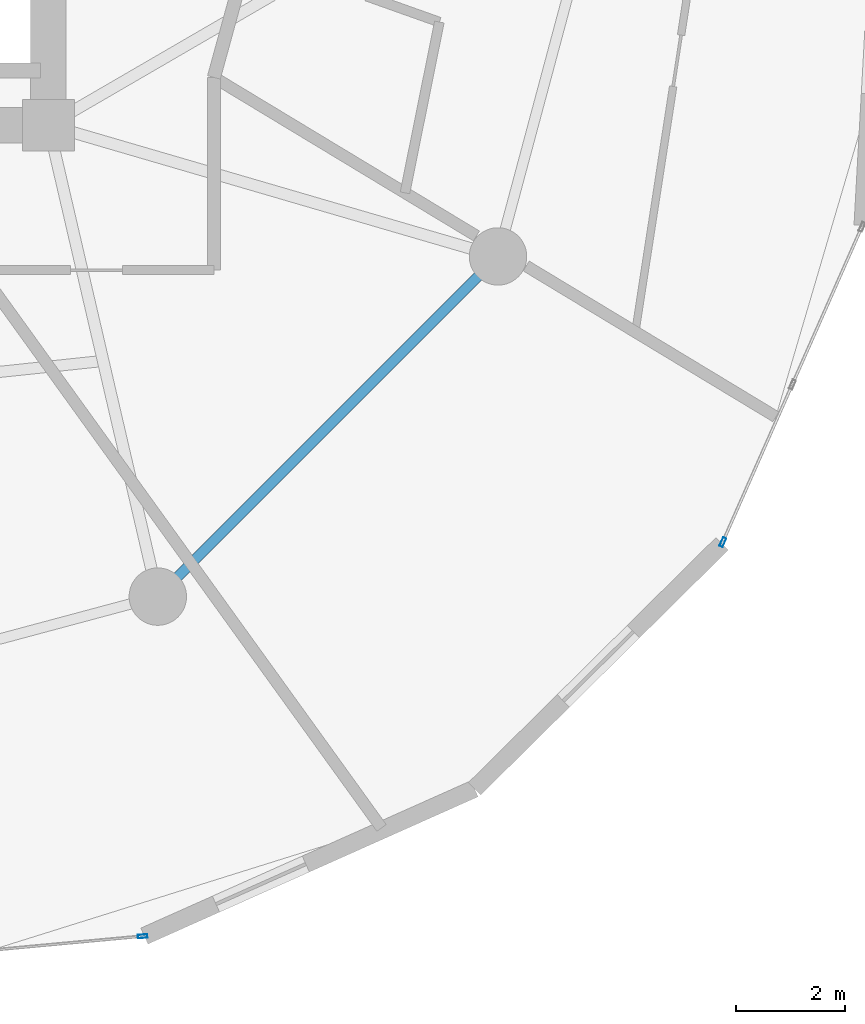
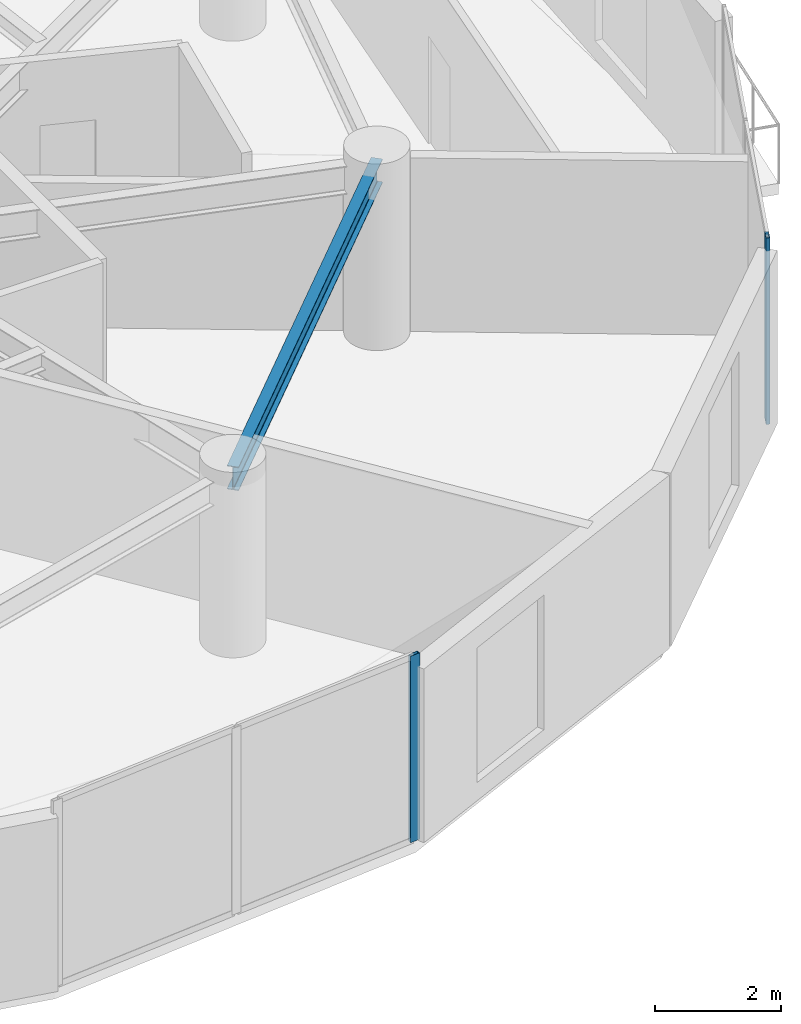
# One storey, part 9 of 25: 2 members, 1 beam, 2 elements without a shape of their own.
"""IFC4 building model written with IfcOpenShell, lengths in metres."""

from ifc_helpers import new_model, si_unit, direction, frame, origin, origin_2d, place, context, subcontext, project, spatial, hollow_rectangle, i_section, extrude, source, transform, mapped, material, layer, layer_set, material_profile, profile_set, type_object, element, aggregate, save


model = new_model("IFC4")

# Units and contexts
model_context = context("Model", 3, precision=1e-05, world=origin(), true_north=direction((0.0, 1.0)))
body_context = subcontext(model_context, "Body", "Model", "MODEL_VIEW")
ifc_project = project(units=[si_unit("LENGTHUNIT", "METRE"), si_unit("AREAUNIT", "SQUARE_METRE"), si_unit("VOLUMEUNIT", "CUBIC_METRE"), si_unit("PLANEANGLEUNIT", "RADIAN"), si_unit("MASSUNIT", "GRAM", prefix="KILO")], contexts=[model_context])

# Site, building, storey
site_placement = place(None, origin())
site = spatial("IfcSite", under=ifc_project, at=site_placement, CompositionType="ELEMENT")
building_placement = place(site_placement, origin())
building = spatial("IfcBuilding", under=site, at=building_placement, Name="Solvirekh Grand Hotel", CompositionType="ELEMENT")
storey_placement = place(building_placement, frame((0.0, 0.0, 117.0)))
storey = spatial("IfcBuildingStorey", under=building, at=storey_placement, Name="L29", CompositionType="ELEMENT", Elevation=117.0)

# Beam
ifc_material_1 = material(Name="Steel S355", Category="steel")
ifc_material_profile_1 = material_profile(ifc_material_1, i_section(OverallWidth=0.18994140625, OverallDepth=0.45703125, WebThickness=0.009033203125, FlangeThickness=0.013916015625, FilletRadius=0.012939453125, at=origin_2d()), Name="W460X74")
ifc_profile_set_1 = profile_set([ifc_material_profile_1], Name="Steel S355")
beam_type = type_object("IfcBeamType", Name="Spandrel_Ring_W460", PredefinedType="SPANDREL", material=ifc_profile_set_1)
beam_placement = place(storey_placement, frame((8.5, -14.721923828125, 3.12109375), z_axis=(0.707106781187, 0.707106781187, 0.0), x_axis=(-0.707106781187, 0.707106781187, 0.0)))
element("IfcBeam", 1, at=beam_placement, inside=storey, type_object=beam_type, Name="L29 perimeter spandrel beam 11", PredefinedType="SPANDREL", context=body_context, shape_type="SweptSolid", body=[
    extrude(i_section(OverallWidth=0.18994140625, OverallDepth=0.45703125, WebThickness=0.009033203125, FlangeThickness=0.013916015625, FilletRadius=0.012939453125, at=origin_2d()), origin(), (0.0, 0.0, 1.0), 8.799072265625),
])

# Curtain wall, member
ifc_material_2 = material(Name="Anodized Bronze Aluminium 6063-T6", Category="aluminium")
ifc_layer = layer(ifc_material_2, 0.175048828125)
ifc_layer_set = layer_set([ifc_layer], Name="Anodized Bronze Aluminium 6063-T6")
curtain_wall_type = type_object("IfcCurtainWallType", Name="CW_Sys3_MidZoneFlushBronzeCW", PredefinedType="NOTDEFINED", material=ifc_layer_set)
curtain_wall_1_placement = place(storey_placement, origin())
curtain_wall_1 = element("IfcCurtainWall", 2, at=curtain_wall_1_placement, inside=storey, type_object=curtain_wall_type, Name="L29 unitised bronze-glass curtain wall CW-L29-C01", PredefinedType="NOTDEFINED")
ifc_material_profile_2 = material_profile(ifc_material_2, hollow_rectangle(XDim=0.06494140625, YDim=0.175048828125, WallThickness=0.0048828125, at=origin_2d()), Name="ALU RHS 175X65X5")
ifc_profile_set_2 = profile_set([ifc_material_profile_2], Name="Anodized Bronze Aluminium 6063-T6")
member_type = type_object("IfcMemberType", Name="CWMullion_Sys3", PredefinedType="MULLION", material=ifc_profile_set_2)
shared_shape = source(origin(), body_context, "Body", "SweptSolid", [
    extrude(hollow_rectangle(XDim=0.06494140625, YDim=0.175048828125, WallThickness=0.0048828125, at=origin_2d()), origin(), (0.0, 0.0, 1.0), 3.60009765625),
])
member_1_placement = place(storey_placement, frame((18.834228515625, -13.726318359375, 0.0), z_axis=(0.0, 0.0, 1.0), x_axis=(-0.914818852712, 0.403864416262, 0.0)))
member_1 = element("IfcMember", 3, at=member_1_placement, type_object=member_type, Name="U03 mullion 1", PredefinedType="MULLION", context=body_context, shape_type="MappedRepresentation", body=[
    mapped(shared_shape, transform((0.0, 0.0, 0.0), x_axis=(1.0, 0.0, 0.0), y_axis=(0.0, 1.0, 0.0), z_axis=(0.0, 0.0, 1.0), scale=1.0)),
])
aggregate(curtain_wall_1, [member_1])

curtain_wall_2_placement = place(storey_placement, origin())
curtain_wall_2 = element("IfcCurtainWall", 4, at=curtain_wall_2_placement, inside=storey, type_object=curtain_wall_type, Name="L29 unitised bronze-glass curtain wall CW-L29-C18", PredefinedType="NOTDEFINED")
member_2_placement = place(storey_placement, frame((8.22265625, -20.93408203125, 0.0), z_axis=(0.0, 0.0, 1.0), x_axis=(-0.092418859404, 0.99572021895, 0.0)))
member_2 = element("IfcMember", 5, at=member_2_placement, type_object=member_type, Name="U03 mullion 3", PredefinedType="MULLION", context=body_context, shape_type="MappedRepresentation", body=[
    mapped(shared_shape, transform((0.0, 0.0, 0.0), x_axis=(1.0, 0.0, 0.0), y_axis=(0.0, 1.0, 0.0), z_axis=(0.0, 0.0, 1.0), scale=1.0)),
])
aggregate(curtain_wall_2, [member_2])

save(model, "model.ifc")
